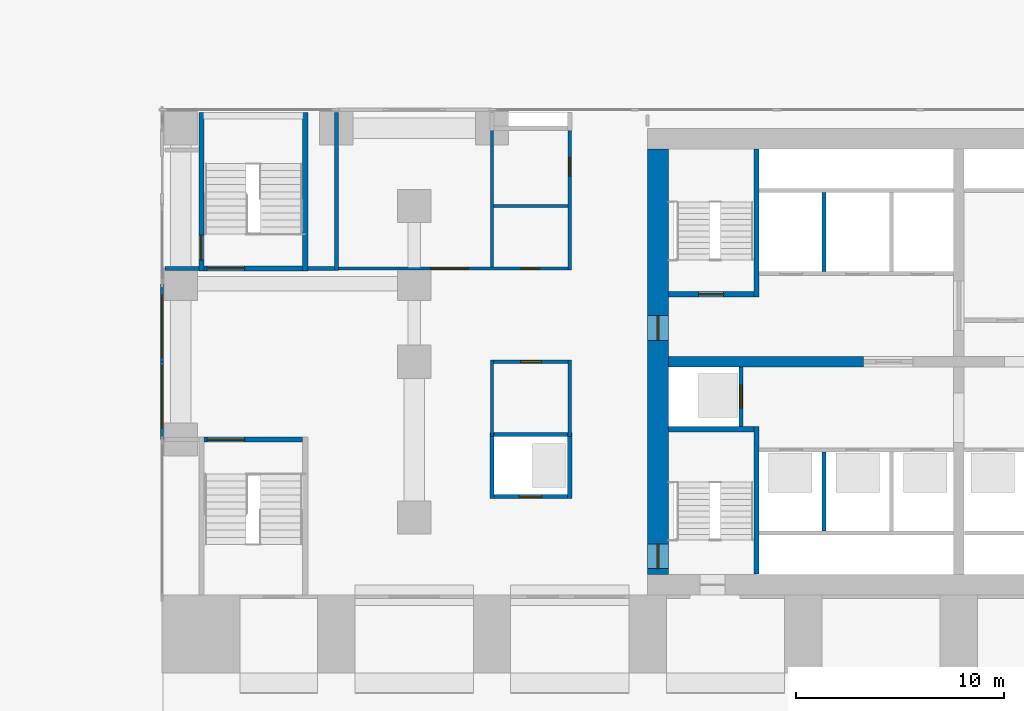
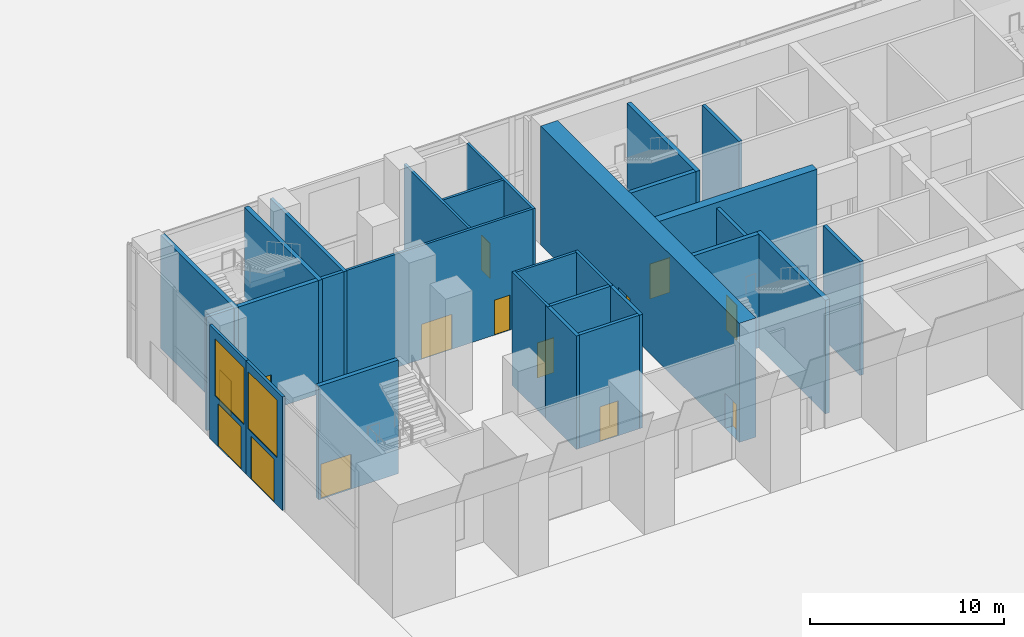
# One storey, part 12 of 21: 29 walls, 14 doors, 2 windows, 16 openings.
"""IFC4 building model written with IfcOpenShell, lengths in metres."""

from ifc_helpers import new_model, si_unit, direction, frame, frame_2d, origin, place, context, subcontext, project, spatial, rectangle, extrude, material, layer, layer_set, type_object, element, fill, save


model = new_model("IFC4")

# Units and contexts
model_context = context("Model", 3, precision=1e-05, world=origin(), true_north=direction((0.0, 1.0)))
body_context = subcontext(model_context, "Body", "Model", "MODEL_VIEW")
ifc_project = project(units=[si_unit("LENGTHUNIT", "METRE"), si_unit("AREAUNIT", "SQUARE_METRE"), si_unit("VOLUMEUNIT", "CUBIC_METRE"), si_unit("PLANEANGLEUNIT", "RADIAN"), si_unit("MASSUNIT", "GRAM", prefix="KILO")], contexts=[model_context])

# Site, building, storey
site_placement = place(None, origin())
site = spatial("IfcSite", under=ifc_project, at=site_placement, CompositionType="ELEMENT")
building_placement = place(site_placement, origin())
building = spatial("IfcBuilding", under=site, at=building_placement, Name="Pilkhan Gate Tower", CompositionType="ELEMENT")
storey_placement = place(building_placement, origin())
storey = spatial("IfcBuildingStorey", under=building, at=storey_placement, Name="L00", CompositionType="ELEMENT", Elevation=0.0)

# Wall, openings, doors
ifc_material_1 = material(Name="Concrete C70/85", Category="concrete")
ifc_layer_1 = layer(ifc_material_1, 1.0)
ifc_layer_set_1 = layer_set([ifc_layer_1], Name="Core wall CW1000 C70/85")
wall_type_1 = type_object("IfcWallType", Name="Core wall CW1000 C70/85", PredefinedType="SHEAR", material=ifc_layer_set_1)
wall_1_placement = place(storey_placement, frame((60.5, 92.75, 0.0), z_axis=(0.0, 0.0, 1.0), x_axis=(0.0, -1.0, 0.0)))
wall_1 = element("IfcWall", 1, at=wall_1_placement, inside=storey, type_object=wall_type_1, Name="Core wall W L00", PredefinedType="SHEAR", context=body_context, shape_type="SweptSolid", body=[
    extrude(rectangle(XDim=20.5, YDim=1.0, at=frame_2d((10.25, 0.0))), origin(), (0.0, 0.0, 1.0), 7.5),
])
opening_1_placement = place(wall_1_placement, frame((19.02490234375, 0.0, 0.0)))
opening_1 = element("IfcOpeningElement", 2, at=opening_1_placement, cuts=wall_1, Name="Opening L00-04", PredefinedType="OPENING", context=body_context, shape_type="SweptSolid", body=[
    extrude(rectangle(XDim=1.199951171875, YDim=2.199951171875, at=frame_2d((0.60009765625, 1.10009765625))), frame((0.0, 0.510009765625, 0.0), z_axis=(0.0, -1.0, 0.0), x_axis=(1.0, 0.0, 0.0)), (0.0, 0.0, 1.0), 1.02001953125),
])
opening_2_placement = place(wall_1_placement, frame((8.02490234375, 0.0, 0.0)))
opening_2 = element("IfcOpeningElement", 3, at=opening_2_placement, cuts=wall_1, Name="Opening L00-16", PredefinedType="OPENING", context=body_context, shape_type="SweptSolid", body=[
    extrude(rectangle(XDim=1.199951171875, YDim=2.199951171875, at=frame_2d((0.60009765625, 1.10009765625))), frame((0.0, 0.510009765625, 0.0), z_axis=(0.0, -1.0, 0.0), x_axis=(1.0, 0.0, 0.0)), (0.0, 0.0, 1.0), 1.02001953125),
])
ifc_material_2 = material(Name="Steel door, 120 minute fire resisting, self-closing", Category="steel")
door_type_1 = type_object("IfcDoorType", Name="Firefighting lobby door D10 1200x2200", OperationType="SINGLE_SWING_LEFT", PredefinedType="DOOR", material=ifc_material_2)
door_1_placement = place(opening_2_placement, origin())
door_1 = element("IfcDoor", 4, at=door_1_placement, inside=storey, type_object=door_type_1, Name="Core door", OperationType="SINGLE_SWING_LEFT", OverallHeight=2.199951171875, OverallWidth=1.199951171875, PredefinedType="DOOR", context=body_context, shape_type="SweptSolid", body=[
    extrude(rectangle(XDim=1.199951171875, YDim=2.199951171875, at=frame_2d((0.60009765625, 1.10009765625))), frame((0.0, 0.02490234375, 0.0), z_axis=(0.0, -1.0, 0.0), x_axis=(1.0, 0.0, 0.0)), (0.0, 0.0, 1.0), 0.050048828125),
])
fill(opening_2, door_1)
ifc_material_3 = material(Name="Steel door, 120 minute fire resisting, panic bar", Category="steel")
door_type_2 = type_object("IfcDoorType", Name="Stair door D11 1200x2200", OperationType="SINGLE_SWING_LEFT", PredefinedType="DOOR", material=ifc_material_3)
door_2_placement = place(opening_1_placement, origin())
door_2 = element("IfcDoor", 5, at=door_2_placement, inside=storey, type_object=door_type_2, Name="Stair ST2 door", OperationType="SINGLE_SWING_LEFT", OverallHeight=2.199951171875, OverallWidth=1.199951171875, PredefinedType="DOOR", context=body_context, shape_type="SweptSolid", body=[
    extrude(rectangle(XDim=1.199951171875, YDim=2.199951171875, at=frame_2d((0.60009765625, 1.10009765625))), frame((0.0, 0.02490234375, 0.0), z_axis=(0.0, -1.0, 0.0), x_axis=(1.0, 0.0, 0.0)), (0.0, 0.0, 1.0), 0.050048828125),
])
fill(opening_1, door_2)

# Wall
ifc_material_4 = material(Name="Reinforced blockwork, 120 minute fire resisting", Category="masonry")
ifc_layer_2 = layer(ifc_material_4, 0.199951171875)
ifc_layer_set_2 = layer_set([ifc_layer_2], Name="Exit passage wall XW200")
wall_type_2 = type_object("IfcWallType", Name="Exit passage wall XW200", PredefinedType="PARTITIONING", material=ifc_layer_set_2)
wall_2_placement = place(storey_placement, frame((36.735107421875, 87.0, 0.0), z_axis=(0.0, 0.0, 1.0), x_axis=(1.0, 0.0, 0.0)))
element("IfcWall", 6, at=wall_2_placement, inside=storey, type_object=wall_type_2, Name="Partition L00", PredefinedType="PARTITIONING", context=body_context, shape_type="SweptSolid", body=[
    extrude(rectangle(XDim=1.639892578125, YDim=0.199951171875, at=frame_2d((0.81982421875, 0.0))), origin(), (0.0, 0.0, 1.0), 7.14990234375),
])

# Wall, openings, door, window
ifc_material_5 = material(Name="Pale anodised aluminium, clear laminated glazing", Category="aluminium")
ifc_layer_3 = layer(ifc_material_5, 0.14990234375)
ifc_layer_set_3 = layer_set([ifc_layer_3], Name="Facade infill wall IW150")
wall_type_3 = type_object("IfcWallType", Name="Facade infill wall IW150", PredefinedType="SOLIDWALL", material=ifc_layer_set_3)
wall_3_placement = place(storey_placement, frame((36.60498046875, 78.75, 0.0), z_axis=(0.0, 0.0, 1.0), x_axis=(0.0, 1.0, 0.0)))
wall_3 = element("IfcWall", 7, at=wall_3_placement, inside=storey, type_object=wall_type_3, Name="Infill wall L00 W", PredefinedType="SOLIDWALL", context=body_context, shape_type="SweptSolid", body=[
    extrude(rectangle(XDim=3.75, YDim=0.14990234375, at=frame_2d((1.875, 0.0))), origin(), (0.0, 0.0, 1.0), 7.14990234375),
])
opening_3_placement = place(wall_3_placement, frame((0.85009765625, 0.0, 0.0)))
opening_3 = element("IfcOpeningElement", 8, at=opening_3_placement, cuts=wall_3, Name="Opening D6", PredefinedType="OPENING", context=body_context, shape_type="SweptSolid", body=[
    extrude(rectangle(XDim=2.39990234375, YDim=2.699951171875, at=frame_2d((1.199951171875, 1.35009765625))), frame((0.0, 0.0849609375, 0.0), z_axis=(0.0, -1.0, 0.0), x_axis=(1.0, 0.0, 0.0)), (0.0, 0.0, 1.0), 0.169921875),
])
opening_4_placement = place(wall_3_placement, frame((0.550048828125, 0.0, 3.0)))
opening_4 = element("IfcOpeningElement", 9, at=opening_4_placement, cuts=wall_3, Name="Opening W3", PredefinedType="OPENING", context=body_context, shape_type="SweptSolid", body=[
    extrude(rectangle(XDim=3.0, YDim=3.60009765625, at=frame_2d((1.5, 1.800048828125))), frame((0.0, 0.0849609375, 0.0), z_axis=(0.0, -1.0, 0.0), x_axis=(1.0, 0.0, 0.0)), (0.0, 0.0, 1.0), 0.169921875),
])
ifc_material_6 = material(Name="Pale anodised aluminium, clear glazing", Category="aluminium")
door_type_3 = type_object("IfcDoorType", Name="Entrance door D6 2400x2700", OperationType="DOUBLE_DOOR_SINGLE_SWING", PredefinedType="DOOR", material=ifc_material_6)
door_3_placement = place(opening_3_placement, origin())
door_3 = element("IfcDoor", 10, at=door_3_placement, inside=storey, type_object=door_type_3, Name="Hotel west entrance", OperationType="DOUBLE_DOOR_SINGLE_SWING", OverallHeight=2.699951171875, OverallWidth=2.39990234375, PredefinedType="DOOR", context=body_context, shape_type="SweptSolid", body=[
    extrude(rectangle(XDim=2.39990234375, YDim=2.699951171875, at=frame_2d((1.199951171875, 1.35009765625))), frame((0.0, 0.02490234375, 0.0), z_axis=(0.0, -1.0, 0.0), x_axis=(1.0, 0.0, 0.0)), (0.0, 0.0, 1.0), 0.050048828125),
])
fill(opening_3, door_3)
window_type = type_object("IfcWindowType", Name="Window W3 3000x3600", PartitioningType="SINGLE_PANEL", PredefinedType="WINDOW", material=ifc_material_5)
window_1_placement = place(opening_4_placement, origin())
window_1 = element("IfcWindow", 11, at=window_1_placement, inside=storey, type_object=window_type, Name="Fanlight", OverallHeight=3.60009765625, OverallWidth=3.0, PartitioningType="SINGLE_PANEL", PredefinedType="WINDOW", context=body_context, shape_type="SweptSolid", body=[
    extrude(rectangle(XDim=3.0, YDim=3.60009765625, at=frame_2d((1.5, 1.800048828125))), frame((0.0, 0.030029296875, 0.0), z_axis=(0.0, -1.0, 0.0), x_axis=(1.0, 0.0, 0.0)), (0.0, 0.0, 1.0), 0.06005859375),
])
fill(opening_4, window_1)

wall_4_placement = place(storey_placement, frame((36.60498046875, 82.5, 0.0), z_axis=(0.0, 0.0, 1.0), x_axis=(0.0, 1.0, 0.0)))
wall_4 = element("IfcWall", 12, at=wall_4_placement, inside=storey, type_object=wall_type_3, Name="Infill wall L00 W", PredefinedType="SOLIDWALL", context=body_context, shape_type="SweptSolid", body=[
    extrude(rectangle(XDim=3.75, YDim=0.14990234375, at=frame_2d((1.875, 0.0))), origin(), (0.0, 0.0, 1.0), 7.14990234375),
])
opening_5_placement = place(wall_4_placement, frame((0.5, 0.0, 0.0)))
opening_5 = element("IfcOpeningElement", 13, at=opening_5_placement, cuts=wall_4, Name="Opening D6", PredefinedType="OPENING", context=body_context, shape_type="SweptSolid", body=[
    extrude(rectangle(XDim=2.39990234375, YDim=2.699951171875, at=frame_2d((1.199951171875, 1.35009765625))), frame((0.0, 0.0849609375, 0.0), z_axis=(0.0, -1.0, 0.0), x_axis=(1.0, 0.0, 0.0)), (0.0, 0.0, 1.0), 0.169921875),
])
opening_6_placement = place(wall_4_placement, frame((0.199951171875, 0.0, 3.0)))
opening_6 = element("IfcOpeningElement", 14, at=opening_6_placement, cuts=wall_4, Name="Opening W3", PredefinedType="OPENING", context=body_context, shape_type="SweptSolid", body=[
    extrude(rectangle(XDim=3.0, YDim=3.60009765625, at=frame_2d((1.5, 1.800048828125))), frame((0.0, 0.0849609375, 0.0), z_axis=(0.0, -1.0, 0.0), x_axis=(1.0, 0.0, 0.0)), (0.0, 0.0, 1.0), 0.169921875),
])
door_4_placement = place(opening_5_placement, origin())
door_4 = element("IfcDoor", 15, at=door_4_placement, inside=storey, type_object=door_type_3, Name="Hotel west exit", OperationType="DOUBLE_DOOR_SINGLE_SWING", OverallHeight=2.699951171875, OverallWidth=2.39990234375, PredefinedType="DOOR", context=body_context, shape_type="SweptSolid", body=[
    extrude(rectangle(XDim=2.39990234375, YDim=2.699951171875, at=frame_2d((1.199951171875, 1.35009765625))), frame((0.0, 0.02490234375, 0.0), z_axis=(0.0, -1.0, 0.0), x_axis=(1.0, 0.0, 0.0)), (0.0, 0.0, 1.0), 0.050048828125),
])
fill(opening_5, door_4)
window_2_placement = place(opening_6_placement, origin())
window_2 = element("IfcWindow", 16, at=window_2_placement, inside=storey, type_object=window_type, Name="Fanlight", OverallHeight=3.60009765625, OverallWidth=3.0, PartitioningType="SINGLE_PANEL", PredefinedType="WINDOW", context=body_context, shape_type="SweptSolid", body=[
    extrude(rectangle(XDim=3.0, YDim=3.60009765625, at=frame_2d((1.5, 1.800048828125))), frame((0.0, 0.030029296875, 0.0), z_axis=(0.0, -1.0, 0.0), x_axis=(1.0, 0.0, 0.0)), (0.0, 0.0, 1.0), 0.06005859375),
])
fill(opening_6, window_2)

# Walls
ifc_material_7 = material(Name="Dense blockwork", Category="masonry")
ifc_layer_4 = layer(ifc_material_7, 0.199951171875)
ifc_layer_set_4 = layer_set([ifc_layer_4], Name="Lobby wall LW200")
wall_type_4 = type_object("IfcWallType", Name="Lobby wall LW200", PredefinedType="PARTITIONING", material=ifc_layer_set_4)
wall_5_placement = place(storey_placement, frame((43.625, 87.0, 0.0), z_axis=(0.0, 0.0, 1.0), x_axis=(1.0, 0.0, 0.0)))
element("IfcWall", 17, at=wall_5_placement, inside=storey, type_object=wall_type_4, Name="Partition L00", PredefinedType="PARTITIONING", context=body_context, shape_type="SweptSolid", body=[
    extrude(rectangle(XDim=1.27490234375, YDim=0.199951171875, at=frame_2d((0.637451171875, 0.0))), origin(), (0.0, 0.0, 1.0), 7.14990234375),
])
wall_6_placement = place(storey_placement, frame((45.0, 86.89990234375, 0.0), z_axis=(0.0, 0.0, 1.0), x_axis=(0.0, 1.0, 0.0)))
element("IfcWall", 18, at=wall_6_placement, inside=storey, type_object=wall_type_4, Name="Partition L00", PredefinedType="PARTITIONING", context=body_context, shape_type="SweptSolid", body=[
    extrude(rectangle(XDim=7.614990234375, YDim=0.199951171875, at=frame_2d((3.8076171875, 0.0))), origin(), (0.0, 0.0, 1.0), 7.14990234375),
])

# Wall, opening, door
ifc_material_8 = material(Name="Blockwork partition, plastered both sides", Category="masonry")
ifc_layer_5 = layer(ifc_material_8, 0.14990234375)
ifc_layer_set_5 = layer_set([ifc_layer_5], Name="Partition PW150")
wall_type_5 = type_object("IfcWallType", Name="Partition PW150", PredefinedType="PARTITIONING", material=ifc_layer_set_5)
wall_7_placement = place(storey_placement, frame((52.574951171875, 82.5, 0.0), z_axis=(0.0, 0.0, 1.0), x_axis=(1.0, 0.0, 0.0)))
wall_7 = element("IfcWall", 19, at=wall_7_placement, inside=storey, type_object=wall_type_5, Name="Partition L00", PredefinedType="PARTITIONING", context=body_context, shape_type="SweptSolid", body=[
    extrude(rectangle(XDim=3.60009765625, YDim=0.14990234375, at=frame_2d((1.800048828125, 0.0))), origin(), (0.0, 0.0, 1.0), 7.14990234375),
])
opening_7_placement = place(wall_7_placement, frame((1.300048828125, 0.0, 0.0)))
opening_7 = element("IfcOpeningElement", 20, at=opening_7_placement, cuts=wall_7, Name="Opening L00-22", PredefinedType="OPENING", context=body_context, shape_type="SweptSolid", body=[
    extrude(rectangle(XDim=1.0, YDim=2.199951171875, at=frame_2d((0.5, 1.10009765625))), frame((0.0, 0.0849609375, 0.0), z_axis=(0.0, -1.0, 0.0), x_axis=(1.0, 0.0, 0.0)), (0.0, 0.0, 1.0), 0.169921875),
])
ifc_material_9 = material(Name="Timber flush door, outward opening, 30 minute fire resisting", Category="wood")
door_type_4 = type_object("IfcDoorType", Name="Accessible toilet door D07 1000x2200", OperationType="SINGLE_SWING_LEFT", PredefinedType="DOOR", material=ifc_material_9)
door_5_placement = place(opening_7_placement, origin())
door_5 = element("IfcDoor", 21, at=door_5_placement, inside=storey, type_object=door_type_4, Name="Accessible toilet door", OperationType="SINGLE_SWING_LEFT", OverallHeight=2.199951171875, OverallWidth=1.0, PredefinedType="DOOR", context=body_context, shape_type="SweptSolid", body=[
    extrude(rectangle(XDim=1.0, YDim=2.199951171875, at=frame_2d((0.5, 1.10009765625))), frame((0.0, 0.02490234375, 0.0), z_axis=(0.0, -1.0, 0.0), x_axis=(1.0, 0.0, 0.0)), (0.0, 0.0, 1.0), 0.050048828125),
])
fill(opening_7, door_5)

# Wall, openings, doors
wall_8_placement = place(storey_placement, frame((45.10009765625, 87.0, 0.0), z_axis=(0.0, 0.0, 1.0), x_axis=(1.0, 0.0, 0.0)))
wall_8 = element("IfcWall", 22, at=wall_8_placement, inside=storey, type_object=wall_type_5, Name="Partition L00", PredefinedType="PARTITIONING", context=body_context, shape_type="SweptSolid", body=[
    extrude(rectangle(XDim=11.074951171875, YDim=0.14990234375, at=frame_2d((5.53759765625, 0.0))), origin(), (0.0, 0.0, 1.0), 7.14990234375),
])
opening_8_placement = place(wall_8_placement, frame((4.449951171875, 0.0, 0.0)))
opening_8 = element("IfcOpeningElement", 23, at=opening_8_placement, cuts=wall_8, Name="Opening L00-14", PredefinedType="OPENING", context=body_context, shape_type="SweptSolid", body=[
    extrude(rectangle(XDim=1.800048828125, YDim=2.199951171875, at=frame_2d((0.89990234375, 1.10009765625))), frame((0.0, 0.0849609375, 0.0), z_axis=(0.0, -1.0, 0.0), x_axis=(1.0, 0.0, 0.0)), (0.0, 0.0, 1.0), 0.169921875),
])
opening_9_placement = place(wall_8_placement, frame((8.800048828125, 0.0, 0.0)))
opening_9 = element("IfcOpeningElement", 24, at=opening_9_placement, cuts=wall_8, Name="Opening L00-20", PredefinedType="OPENING", context=body_context, shape_type="SweptSolid", body=[
    extrude(rectangle(XDim=0.89990234375, YDim=2.199951171875, at=frame_2d((0.449951171875, 1.10009765625))), frame((0.0, 0.0849609375, 0.0), z_axis=(0.0, -1.0, 0.0), x_axis=(1.0, 0.0, 0.0)), (0.0, 0.0, 1.0), 0.169921875),
])
ifc_material_10 = material(Name="Timber glazed double door, 30 minute fire resisting", Category="wood")
door_type_5 = type_object("IfcDoorType", Name="Double door D04 1800x2200", OperationType="DOUBLE_DOOR_SINGLE_SWING", PredefinedType="DOOR", material=ifc_material_10)
door_6_placement = place(opening_8_placement, origin())
door_6 = element("IfcDoor", 25, at=door_6_placement, inside=storey, type_object=door_type_5, Name="Cafe door", OperationType="DOUBLE_DOOR_SINGLE_SWING", OverallHeight=2.199951171875, OverallWidth=1.800048828125, PredefinedType="DOOR", context=body_context, shape_type="SweptSolid", body=[
    extrude(rectangle(XDim=1.800048828125, YDim=2.199951171875, at=frame_2d((0.89990234375, 1.10009765625))), frame((0.0, 0.02490234375, 0.0), z_axis=(0.0, -1.0, 0.0), x_axis=(1.0, 0.0, 0.0)), (0.0, 0.0, 1.0), 0.050048828125),
])
fill(opening_8, door_6)
ifc_material_11 = material(Name="Timber flush door, 30 minute fire resisting", Category="wood")
door_type_6 = type_object("IfcDoorType", Name="Toilet door D06 900x2200", OperationType="SINGLE_SWING_LEFT", PredefinedType="DOOR", material=ifc_material_11)
door_7_placement = place(opening_9_placement, origin())
door_7 = element("IfcDoor", 26, at=door_7_placement, inside=storey, type_object=door_type_6, Name="Toilet door", OperationType="SINGLE_SWING_RIGHT", OverallHeight=2.199951171875, OverallWidth=0.89990234375, PredefinedType="DOOR", context=body_context, shape_type="SweptSolid", body=[
    extrude(rectangle(XDim=0.89990234375, YDim=2.199951171875, at=frame_2d((0.449951171875, 1.10009765625))), frame((0.0, 0.02490234375, 0.0), z_axis=(0.0, -1.0, 0.0), x_axis=(1.0, 0.0, 0.0)), (0.0, 0.0, 1.0), 0.050048828125),
])
fill(opening_9, door_7)

# Walls
wall_9_placement = place(storey_placement, frame((52.574951171875, 90.0, 0.0), z_axis=(0.0, 0.0, 1.0), x_axis=(1.0, 0.0, 0.0)))
element("IfcWall", 27, at=wall_9_placement, inside=storey, type_object=wall_type_5, Name="Partition L00", PredefinedType="PARTITIONING", context=body_context, shape_type="SweptSolid", body=[
    extrude(rectangle(XDim=3.60009765625, YDim=0.14990234375, at=frame_2d((1.800048828125, 0.0))), origin(), (0.0, 0.0, 1.0), 7.14990234375),
])
wall_10_placement = place(storey_placement, frame((52.5, 78.89990234375, 0.0), z_axis=(0.0, 0.0, 1.0), x_axis=(0.0, 1.0, 0.0)))
element("IfcWall", 28, at=wall_10_placement, inside=storey, type_object=wall_type_5, Name="Partition L00", PredefinedType="PARTITIONING", context=body_context, shape_type="SweptSolid", body=[
    extrude(rectangle(XDim=3.675048828125, YDim=0.14990234375, at=frame_2d((1.83740234375, 0.0))), origin(), (0.0, 0.0, 1.0), 7.14990234375),
])
wall_11_placement = place(storey_placement, frame((52.5, 87.074951171875, 0.0), z_axis=(0.0, 0.0, 1.0), x_axis=(0.0, 1.0, 0.0)))
element("IfcWall", 29, at=wall_11_placement, inside=storey, type_object=wall_type_5, Name="Partition L00", PredefinedType="PARTITIONING", context=body_context, shape_type="SweptSolid", body=[
    extrude(rectangle(XDim=6.675048828125, YDim=0.14990234375, at=frame_2d((3.33740234375, 0.0))), origin(), (0.0, 0.0, 1.0), 7.14990234375),
])
wall_12_placement = place(storey_placement, frame((56.25, 78.89990234375, 0.0), z_axis=(0.0, 0.0, 1.0), x_axis=(0.0, 1.0, 0.0)))
element("IfcWall", 30, at=wall_12_placement, inside=storey, type_object=wall_type_5, Name="Partition L00", PredefinedType="PARTITIONING", context=body_context, shape_type="SweptSolid", body=[
    extrude(rectangle(XDim=3.675048828125, YDim=0.14990234375, at=frame_2d((1.83740234375, 0.0))), origin(), (0.0, 0.0, 1.0), 7.14990234375),
])

# Wall, opening, door
wall_13_placement = place(storey_placement, frame((56.25, 86.925048828125, 0.0), z_axis=(0.0, 0.0, 1.0), x_axis=(0.0, 1.0, 0.0)))
wall_13 = element("IfcWall", 31, at=wall_13_placement, inside=storey, type_object=wall_type_5, Name="Partition L00", PredefinedType="PARTITIONING", context=body_context, shape_type="SweptSolid", body=[
    extrude(rectangle(XDim=6.824951171875, YDim=0.14990234375, at=frame_2d((3.41259765625, 0.0))), origin(), (0.0, 0.0, 1.0), 7.14990234375),
])
opening_10_placement = place(wall_13_placement, frame((4.52490234375, 0.0, 0.0)))
opening_10 = element("IfcOpeningElement", 32, at=opening_10_placement, cuts=wall_13, Name="Opening L00-21", PredefinedType="OPENING", context=body_context, shape_type="SweptSolid", body=[
    extrude(rectangle(XDim=0.89990234375, YDim=2.199951171875, at=frame_2d((0.449951171875, 1.10009765625))), frame((0.0, 0.0849609375, 0.0), z_axis=(0.0, -1.0, 0.0), x_axis=(1.0, 0.0, 0.0)), (0.0, 0.0, 1.0), 0.169921875),
])
door_8_placement = place(opening_10_placement, origin())
door_8 = element("IfcDoor", 33, at=door_8_placement, inside=storey, type_object=door_type_6, Name="Toilet door", OperationType="SINGLE_SWING_LEFT", OverallHeight=2.199951171875, OverallWidth=0.89990234375, PredefinedType="DOOR", context=body_context, shape_type="SweptSolid", body=[
    extrude(rectangle(XDim=0.89990234375, YDim=2.199951171875, at=frame_2d((0.449951171875, 1.10009765625))), frame((0.0, 0.02490234375, 0.0), z_axis=(0.0, -1.0, 0.0), x_axis=(1.0, 0.0, 0.0)), (0.0, 0.0, 1.0), 0.050048828125),
])
fill(opening_10, door_8)

ifc_material_12 = material(Name="Reinforced blockwork shaft wall, 120 minute fire resisting", Category="masonry")
ifc_layer_6 = layer(ifc_material_12, 0.199951171875)
ifc_layer_set_6 = layer_set([ifc_layer_6], Name="Shaft wall SW200")
wall_type_6 = type_object("IfcWallType", Name="Shaft wall SW200", PredefinedType="PARTITIONING", material=ifc_layer_set_6)
wall_14_placement = place(storey_placement, frame((52.60009765625, 76.0, 0.0), z_axis=(0.0, 0.0, 1.0), x_axis=(1.0, 0.0, 0.0)))
wall_14 = element("IfcWall", 34, at=wall_14_placement, inside=storey, type_object=wall_type_6, Name="Partition L00", PredefinedType="PARTITIONING", context=body_context, shape_type="SweptSolid", body=[
    extrude(rectangle(XDim=3.5498046875, YDim=0.199951171875, at=frame_2d((1.77490234375, 0.0))), origin(), (0.0, 0.0, 1.0), 7.14990234375),
])
opening_11_placement = place(wall_14_placement, frame((1.199951171875, 0.0, 0.0)))
opening_11 = element("IfcOpeningElement", 35, at=opening_11_placement, cuts=wall_14, Name="Opening LD", PredefinedType="OPENING", context=body_context, shape_type="SweptSolid", body=[
    extrude(rectangle(XDim=1.10009765625, YDim=2.199951171875, at=frame_2d((0.550048828125, 1.10009765625))), frame((0.0, 0.10986328125, 0.0), z_axis=(0.0, -1.0, 0.0), x_axis=(1.0, 0.0, 0.0)), (0.0, 0.0, 1.0), 0.219970703125),
])
ifc_material_13 = material(Name="Stainless steel centre-opening landing door, 120 minute fire resisting", Category="steel")
door_type_7 = type_object("IfcDoorType", Name="Lift landing door LD 1100x2200", OperationType="DOUBLE_DOOR_SLIDING", PredefinedType="DOOR", material=ifc_material_13)
door_9_placement = place(opening_11_placement, origin())
door_9 = element("IfcDoor", 36, at=door_9_placement, inside=storey, type_object=door_type_7, Name="Landing door P1", OperationType="DOUBLE_DOOR_SLIDING", OverallHeight=2.199951171875, OverallWidth=1.10009765625, PredefinedType="DOOR", context=body_context, shape_type="SweptSolid", body=[
    extrude(rectangle(XDim=1.10009765625, YDim=2.199951171875, at=frame_2d((0.550048828125, 1.10009765625))), frame((0.0, 0.02490234375, 0.0), z_axis=(0.0, -1.0, 0.0), x_axis=(1.0, 0.0, 0.0)), (0.0, 0.0, 1.0), 0.050048828125),
])
fill(opening_11, door_9)

# Walls
wall_15_placement = place(storey_placement, frame((52.60009765625, 79.0, 0.0), z_axis=(0.0, 0.0, 1.0), x_axis=(1.0, 0.0, 0.0)))
element("IfcWall", 37, at=wall_15_placement, inside=storey, type_object=wall_type_6, Name="Partition L00", PredefinedType="PARTITIONING", context=body_context, shape_type="SweptSolid", body=[
    extrude(rectangle(XDim=3.5498046875, YDim=0.199951171875, at=frame_2d((1.77490234375, 0.0))), origin(), (0.0, 0.0, 1.0), 7.14990234375),
])
for number, where, z_axis, x_axis, name in (
    (38, (52.5, 75.89990234375, 0.0), (0.0, 0.0, 1.0), (0.0, 1.0, 0.0), "Partition L00"),
    (39, (56.25, 75.89990234375, 0.0), (0.0, 0.0, 1.0), (0.0, 1.0, 0.0), "Partition L00"),
):
    element("IfcWall", number, at=place(storey_placement, frame(where, z_axis=z_axis, x_axis=x_axis)), inside=storey, type_object=wall_type_6, Name=name, PredefinedType="PARTITIONING", context=body_context, shape_type="SweptSolid", body=[
        extrude(rectangle(XDim=3.2001953125, YDim=0.199951171875, at=frame_2d((1.60009765625, 0.0))), origin(), (0.0, 0.0, 1.0), 7.14990234375),
    ])

# Wall, opening, door
wall_16_placement = place(storey_placement, frame((64.5, 79.375, 0.0), z_axis=(0.0, 0.0, 1.0), x_axis=(0.0, 1.0, 0.0)))
wall_16 = element("IfcWall", 40, at=wall_16_placement, inside=storey, type_object=wall_type_6, Name="Partition L00", PredefinedType="PARTITIONING", context=body_context, shape_type="SweptSolid", body=[
    extrude(rectangle(XDim=2.864990234375, YDim=0.199951171875, at=frame_2d((1.4326171875, 0.0))), origin(), (0.0, 0.0, 1.0), 7.14990234375),
])
opening_12_placement = place(wall_16_placement, frame((0.89990234375, 0.0, 0.0)))
opening_12 = element("IfcOpeningElement", 41, at=opening_12_placement, cuts=wall_16, Name="Opening LD", PredefinedType="OPENING", context=body_context, shape_type="SweptSolid", body=[
    extrude(rectangle(XDim=1.10009765625, YDim=2.199951171875, at=frame_2d((0.550048828125, 1.10009765625))), frame((0.0, 0.10986328125, 0.0), z_axis=(0.0, -1.0, 0.0), x_axis=(1.0, 0.0, 0.0)), (0.0, 0.0, 1.0), 0.219970703125),
])
door_10_placement = place(opening_12_placement, origin())
door_10 = element("IfcDoor", 42, at=door_10_placement, inside=storey, type_object=door_type_7, Name="Landing door OB1", OperationType="DOUBLE_DOOR_SLIDING", OverallHeight=2.199951171875, OverallWidth=1.10009765625, PredefinedType="DOOR", context=body_context, shape_type="SweptSolid", body=[
    extrude(rectangle(XDim=1.10009765625, YDim=2.199951171875, at=frame_2d((0.550048828125, 1.10009765625))), frame((0.0, 0.02490234375, 0.0), z_axis=(0.0, -1.0, 0.0), x_axis=(1.0, 0.0, 0.0)), (0.0, 0.0, 1.0), 0.050048828125),
])
fill(opening_12, door_10)

# Walls
for number, where, z_axis, x_axis, name in (
    (43, (68.5, 74.35009765625, 0.0), (0.0, 0.0, 1.0), (0.0, 1.0, 0.0), "Partition L00"),
    (44, (68.5, 86.85009765625, 0.0), (0.0, 0.0, 1.0), (0.0, 1.0, 0.0), "Partition L00"),
):
    element("IfcWall", number, at=place(storey_placement, frame(where, z_axis=z_axis, x_axis=x_axis)), inside=storey, type_object=wall_type_6, Name=name, PredefinedType="PARTITIONING", context=body_context, shape_type="SweptSolid", body=[
        extrude(rectangle(XDim=3.7998046875, YDim=0.199951171875, at=frame_2d((1.89990234375, 0.0))), origin(), (0.0, 0.0, 1.0), 7.14990234375),
    ])
ifc_layer_7 = layer(ifc_material_1, 0.5)
ifc_layer_set_7 = layer_set([ifc_layer_7], Name="Spine wall SW500 C70/85")
wall_type_7 = type_object("IfcWallType", Name="Spine wall SW500 C70/85", PredefinedType="SHEAR", material=ifc_layer_set_7)
wall_17_placement = place(storey_placement, frame((61.0, 82.5, 0.0), z_axis=(0.0, 0.0, 1.0), x_axis=(1.0, 0.0, 0.0)))
element("IfcWall", 45, at=wall_17_placement, inside=storey, type_object=wall_type_7, Name="Spine wall SP-EW1 L00", PredefinedType="SHEAR", context=body_context, shape_type="SweptSolid", body=[
    extrude(rectangle(XDim=9.39990234375, YDim=0.5, at=frame_2d((4.699951171875, 0.0))), origin(), (0.0, 0.0, 1.0), 7.5),
])

# Wall, opening, door
ifc_layer_8 = layer(ifc_material_4, 0.25)
ifc_layer_set_8 = layer_set([ifc_layer_8], Name="Stair enclosure wall SE250")
wall_type_8 = type_object("IfcWallType", Name="Stair enclosure wall SE250", PredefinedType="PARTITIONING", material=ifc_layer_set_8)
wall_18_placement = place(storey_placement, frame((38.625, 78.75, 0.0), z_axis=(0.0, 0.0, 1.0), x_axis=(1.0, 0.0, 0.0)))
wall_18 = element("IfcWall", 46, at=wall_18_placement, inside=storey, type_object=wall_type_8, Name="Partition L00", PredefinedType="PARTITIONING", context=body_context, shape_type="SweptSolid", body=[
    extrude(rectangle(XDim=4.75, YDim=0.25, at=frame_2d((2.375, 0.0))), origin(), (0.0, 0.0, 1.0), 7.14990234375),
])
opening_13_placement = place(wall_18_placement, frame((0.14990234375, 0.0, 0.0)))
opening_13 = element("IfcOpeningElement", 47, at=opening_13_placement, cuts=wall_18, Name="Opening L00-10", PredefinedType="OPENING", context=body_context, shape_type="SweptSolid", body=[
    extrude(rectangle(XDim=1.800048828125, YDim=2.199951171875, at=frame_2d((0.89990234375, 1.10009765625))), frame((0.0, 0.135009765625, 0.0), z_axis=(0.0, -1.0, 0.0), x_axis=(1.0, 0.0, 0.0)), (0.0, 0.0, 1.0), 0.27001953125),
])
ifc_material_14 = material(Name="Steel double door, 120 minute fire resisting, panic bar", Category="steel")
door_type_8 = type_object("IfcDoorType", Name="Stair door D14 1800x2200", OperationType="DOUBLE_DOOR_SINGLE_SWING", PredefinedType="DOOR", material=ifc_material_14)
door_11_placement = place(opening_13_placement, origin())
door_11 = element("IfcDoor", 48, at=door_11_placement, inside=storey, type_object=door_type_8, Name="Stair PS3 door", OperationType="DOUBLE_DOOR_SINGLE_SWING", OverallHeight=2.199951171875, OverallWidth=1.800048828125, PredefinedType="DOOR", context=body_context, shape_type="SweptSolid", body=[
    extrude(rectangle(XDim=1.800048828125, YDim=2.199951171875, at=frame_2d((0.89990234375, 1.10009765625))), frame((0.0, 0.02490234375, 0.0), z_axis=(0.0, -1.0, 0.0), x_axis=(1.0, 0.0, 0.0)), (0.0, 0.0, 1.0), 0.050048828125),
])
fill(opening_13, door_11)

# Wall
wall_19_placement = place(storey_placement, frame((61.010009765625, 79.25, 0.0), z_axis=(0.0, 0.0, 1.0), x_axis=(1.0, 0.0, 0.0)))
element("IfcWall", 49, at=wall_19_placement, inside=storey, type_object=wall_type_8, Name="Partition L00", PredefinedType="PARTITIONING", context=body_context, shape_type="SweptSolid", body=[
    extrude(rectangle(XDim=4.114990234375, YDim=0.25, at=frame_2d((2.0576171875, 0.0))), origin(), (0.0, 0.0, 1.0), 7.14990234375),
])

# Wall, opening, door
wall_20_placement = place(storey_placement, frame((61.010009765625, 85.75, 0.0), z_axis=(0.0, 0.0, 1.0), x_axis=(1.0, 0.0, 0.0)))
wall_20 = element("IfcWall", 50, at=wall_20_placement, inside=storey, type_object=wall_type_8, Name="Partition L00", PredefinedType="PARTITIONING", context=body_context, shape_type="SweptSolid", body=[
    extrude(rectangle(XDim=4.114990234375, YDim=0.25, at=frame_2d((2.0576171875, 0.0))), origin(), (0.0, 0.0, 1.0), 7.14990234375),
])
opening_14_placement = place(wall_20_placement, frame((1.449951171875, 0.0, 0.0)))
opening_14 = element("IfcOpeningElement", 51, at=opening_14_placement, cuts=wall_20, Name="Opening L00-02", PredefinedType="OPENING", context=body_context, shape_type="SweptSolid", body=[
    extrude(rectangle(XDim=1.199951171875, YDim=2.199951171875, at=frame_2d((0.60009765625, 1.10009765625))), frame((0.0, 0.135009765625, 0.0), z_axis=(0.0, -1.0, 0.0), x_axis=(1.0, 0.0, 0.0)), (0.0, 0.0, 1.0), 0.27001953125),
])
door_12_placement = place(opening_14_placement, origin())
door_12 = element("IfcDoor", 52, at=door_12_placement, inside=storey, type_object=door_type_2, Name="Stair ST3 lobby door", OperationType="SINGLE_SWING_RIGHT", OverallHeight=2.199951171875, OverallWidth=1.199951171875, PredefinedType="DOOR", context=body_context, shape_type="SweptSolid", body=[
    extrude(rectangle(XDim=1.199951171875, YDim=2.199951171875, at=frame_2d((0.60009765625, 1.10009765625))), frame((0.0, 0.02490234375, 0.0), z_axis=(0.0, -1.0, 0.0), x_axis=(1.0, 0.0, 0.0)), (0.0, 0.0, 1.0), 0.050048828125),
])
fill(opening_14, door_12)

wall_21_placement = place(storey_placement, frame((38.625, 87.0, 0.0), z_axis=(0.0, 0.0, 1.0), x_axis=(1.0, 0.0, 0.0)))
wall_21 = element("IfcWall", 53, at=wall_21_placement, inside=storey, type_object=wall_type_8, Name="Partition L00", PredefinedType="PARTITIONING", context=body_context, shape_type="SweptSolid", body=[
    extrude(rectangle(XDim=4.75, YDim=0.25, at=frame_2d((2.375, 0.0))), origin(), (0.0, 0.0, 1.0), 7.14990234375),
])
opening_15_placement = place(wall_21_placement, frame((0.14990234375, 0.0, 0.0)))
opening_15 = element("IfcOpeningElement", 54, at=opening_15_placement, cuts=wall_21, Name="Opening L00-08", PredefinedType="OPENING", context=body_context, shape_type="SweptSolid", body=[
    extrude(rectangle(XDim=1.800048828125, YDim=2.199951171875, at=frame_2d((0.89990234375, 1.10009765625))), frame((0.0, 0.135009765625, 0.0), z_axis=(0.0, -1.0, 0.0), x_axis=(1.0, 0.0, 0.0)), (0.0, 0.0, 1.0), 0.27001953125),
])
door_13_placement = place(opening_15_placement, origin())
door_13 = element("IfcDoor", 55, at=door_13_placement, inside=storey, type_object=door_type_8, Name="Stair PS1 door", OperationType="DOUBLE_DOOR_SINGLE_SWING", OverallHeight=2.199951171875, OverallWidth=1.800048828125, PredefinedType="DOOR", context=body_context, shape_type="SweptSolid", body=[
    extrude(rectangle(XDim=1.800048828125, YDim=2.199951171875, at=frame_2d((0.89990234375, 1.10009765625))), frame((0.0, 0.02490234375, 0.0), z_axis=(0.0, -1.0, 0.0), x_axis=(1.0, 0.0, 0.0)), (0.0, 0.0, 1.0), 0.050048828125),
])
fill(opening_15, door_13)

wall_22_placement = place(storey_placement, frame((38.5, 86.875, 0.0), z_axis=(0.0, 0.0, 1.0), x_axis=(0.0, 1.0, 0.0)))
wall_22 = element("IfcWall", 56, at=wall_22_placement, inside=storey, type_object=wall_type_8, Name="Partition L00", PredefinedType="PARTITIONING", context=body_context, shape_type="SweptSolid", body=[
    extrude(rectangle(XDim=7.625, YDim=0.25, at=frame_2d((3.8125, 0.0))), origin(), (0.0, 0.0, 1.0), 7.14990234375),
])
opening_16_placement = place(wall_22_placement, frame((0.52490234375, 0.0, 0.0)))
opening_16 = element("IfcOpeningElement", 57, at=opening_16_placement, cuts=wall_22, Name="Opening L00-12", PredefinedType="OPENING", context=body_context, shape_type="SweptSolid", body=[
    extrude(rectangle(XDim=1.199951171875, YDim=2.199951171875, at=frame_2d((0.60009765625, 1.10009765625))), frame((0.0, 0.135009765625, 0.0), z_axis=(0.0, -1.0, 0.0), x_axis=(1.0, 0.0, 0.0)), (0.0, 0.0, 1.0), 0.27001953125),
])
door_14_placement = place(opening_16_placement, origin())
door_14 = element("IfcDoor", 58, at=door_14_placement, inside=storey, type_object=door_type_2, Name="Stair PS1 passage door", OperationType="SINGLE_SWING_RIGHT", OverallHeight=2.199951171875, OverallWidth=1.199951171875, PredefinedType="DOOR", context=body_context, shape_type="SweptSolid", body=[
    extrude(rectangle(XDim=1.199951171875, YDim=2.199951171875, at=frame_2d((0.60009765625, 1.10009765625))), frame((0.0, 0.02490234375, 0.0), z_axis=(0.0, -1.0, 0.0), x_axis=(1.0, 0.0, 0.0)), (0.0, 0.0, 1.0), 0.050048828125),
])
fill(opening_16, door_14)

# Walls
wall_23_placement = place(storey_placement, frame((43.5, 86.875, 0.0), z_axis=(0.0, 0.0, 1.0), x_axis=(0.0, 1.0, 0.0)))
element("IfcWall", 59, at=wall_23_placement, inside=storey, type_object=wall_type_8, Name="Partition L00", PredefinedType="PARTITIONING", context=body_context, shape_type="SweptSolid", body=[
    extrude(rectangle(XDim=7.625, YDim=0.25, at=frame_2d((3.8125, 0.0))), origin(), (0.0, 0.0, 1.0), 7.14990234375),
])
for number, where, z_axis, x_axis, name in (
    (60, (65.25, 72.260009765625, 0.0), (0.0, 0.0, 1.0), (0.0, 1.0, 0.0), "Partition L00"),
    (61, (65.25, 85.625, 0.0), (0.0, 0.0, 1.0), (0.0, 1.0, 0.0), "Partition L00"),
):
    element("IfcWall", number, at=place(storey_placement, frame(where, z_axis=z_axis, x_axis=x_axis)), inside=storey, type_object=wall_type_8, Name=name, PredefinedType="PARTITIONING", context=body_context, shape_type="SweptSolid", body=[
        extrude(rectangle(XDim=7.114990234375, YDim=0.25, at=frame_2d((3.5576171875, 0.0))), origin(), (0.0, 0.0, 1.0), 7.14990234375),
    ])

save(model, "model.ifc")
